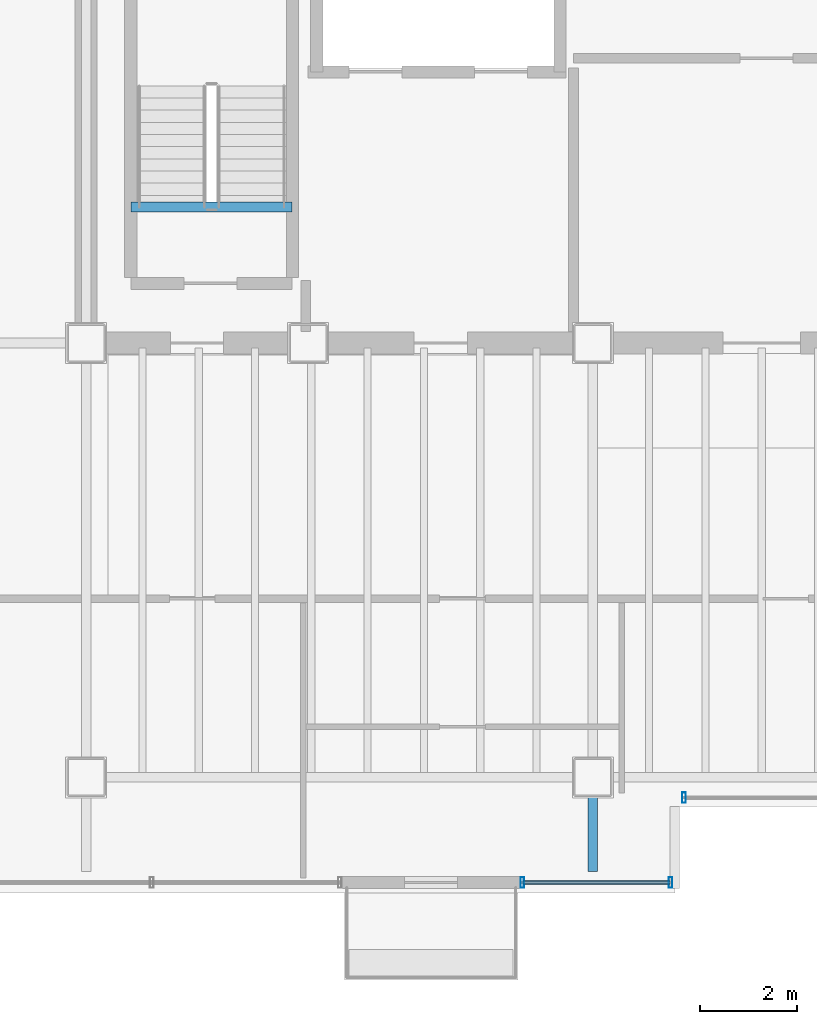
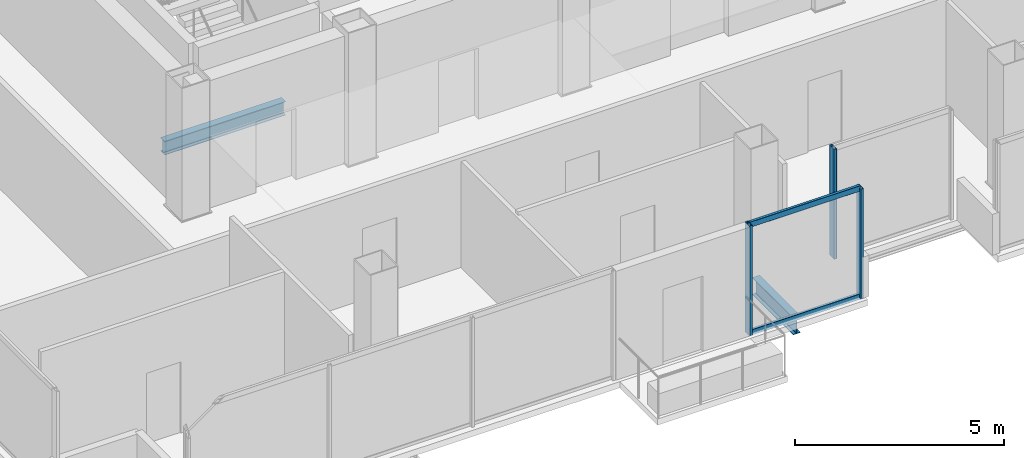
# One storey, part 4 of 16: 5 members, 2 beams, 2 elements without a shape of their own.
"""IFC4 building model written with IfcOpenShell, lengths in metres."""

from ifc_helpers import new_model, si_unit, direction, frame, origin, origin_2d, place, context, subcontext, project, spatial, hollow_rectangle, i_section, extrude, material, material_profile, profile_set, type_object, element, aggregate, save


model = new_model("IFC4")

# Units and contexts
model_context = context("Model", 3, precision=1e-05, world=origin(), true_north=direction((0.0, 1.0)))
body_context = subcontext(model_context, "Body", "Model", "MODEL_VIEW")
ifc_project = project(units=[si_unit("LENGTHUNIT", "METRE"), si_unit("AREAUNIT", "SQUARE_METRE"), si_unit("VOLUMEUNIT", "CUBIC_METRE"), si_unit("PLANEANGLEUNIT", "RADIAN"), si_unit("MASSUNIT", "GRAM", prefix="KILO")], contexts=[model_context])

# Site, building, storey
site_placement = place(None, origin())
site = spatial("IfcSite", under=ifc_project, at=site_placement, CompositionType="ELEMENT")
building_placement = place(site_placement, origin())
building = spatial("IfcBuilding", under=site, at=building_placement, Name="Noeulbin Bourse Tower", CompositionType="ELEMENT")
storey_placement = place(building_placement, frame((0.0, 0.0, 269.60009765625)))
storey = spatial("IfcBuildingStorey", under=building, at=storey_placement, Name="L67", CompositionType="ELEMENT", Elevation=269.60009765625)

# Beams
ifc_material_1 = material(Name="Steel S355", Category="steel")
ifc_material_profile_1 = material_profile(ifc_material_1, i_section(OverallWidth=0.199951171875, OverallDepth=0.5, WebThickness=0.010009765625, FlangeThickness=0.01611328125, FilletRadius=0.02001953125, at=origin_2d()), Name="H-500x200x10x16", Category="LoadBearing")
ifc_profile_set_1 = profile_set([ifc_material_profile_1], Name="Steel S355")
beam_type_1 = type_object("IfcBeamType", Name="BM-GRD-500", PredefinedType="USERDEFINED", material=ifc_profile_set_1)
beam_1_placement = place(storey_placement, frame((24.0, 18.050048828125, -0.43017578125), z_axis=(0.0, 1.0, 0.0), x_axis=(-1.0, 0.0, 0.0)))
element("IfcBeam", 1, at=beam_1_placement, inside=storey, type_object=beam_type_1, Name="Tower Primary Girder NS L67-2.1", ObjectType="GIRDER", PredefinedType="USERDEFINED", context=body_context, shape_type="SweptSolid", body=[
    extrude(i_section(OverallWidth=0.199951171875, OverallDepth=0.5, WebThickness=0.010009765625, FlangeThickness=0.01611328125, FilletRadius=0.02001953125, at=origin_2d()), origin(), (0.0, 0.0, 1.0), 1.949951171875),
])
ifc_material_profile_2 = material_profile(ifc_material_1, i_section(OverallWidth=0.199951171875, OverallDepth=0.39990234375, WebThickness=0.008056640625, FlangeThickness=0.012939453125, FilletRadius=0.01611328125, at=origin_2d()), Name="H-400x200x8x13", Category="LoadBearing")
ifc_profile_set_2 = profile_set([ifc_material_profile_2], Name="Steel S355")
beam_type_2 = type_object("IfcBeamType", Name="BM-SEC-400", PredefinedType="BEAM", material=ifc_profile_set_2)
beam_2_placement = place(storey_placement, frame((14.429931640625, 31.820068359375, -0.2001953125), z_axis=(1.0, 0.0, 0.0), x_axis=(0.0, 1.0, 0.0)))
element("IfcBeam", 2, at=beam_2_placement, inside=storey, type_object=beam_type_2, Name="Stair Threshold Trimmer Beam ST1-L67", PredefinedType="BEAM", context=body_context, shape_type="SweptSolid", body=[
    extrude(i_section(OverallWidth=0.199951171875, OverallDepth=0.39990234375, WebThickness=0.008056640625, FlangeThickness=0.012939453125, FilletRadius=0.01611328125, at=origin_2d()), origin(), (0.0, 0.0, 1.0), 3.340087890625),
])

# Curtain wall, member
ifc_material_2 = material(Name="High-Selectivity Low-Iron Glazing", Category="glass")
curtain_wall_type = type_object("IfcCurtainWallType", Name="CW-SYS-4", PredefinedType="NOTDEFINED", material=ifc_material_2)
curtain_wall_1_placement = place(storey_placement, origin())
curtain_wall_1 = element("IfcCurtainWall", 3, at=curtain_wall_1_placement, inside=storey, type_object=curtain_wall_type, Name="Unitised Curtain Wall CW-L67-SREC", PredefinedType="NOTDEFINED")
ifc_material_3 = material(Name="Anodised Aluminium 6063-T6", Category="aluminium")
ifc_material_profile_3 = material_profile(ifc_material_3, hollow_rectangle(XDim=0.074951171875, YDim=0.219970703125, WallThickness=0.0048828125, InnerFilletRadius=0.00244140625, OuterFilletRadius=0.0048828125, at=origin_2d()), Name="ALU-MULL-75x220x5", Category="LoadBearing")
ifc_profile_set_3 = profile_set([ifc_material_profile_3], Name="Anodised Aluminium 6063-T6")
member_type_1 = type_object("IfcMemberType", Name="CW-SYS-4-MUL", PredefinedType="MULLION", material=ifc_profile_set_3)
member_1_placement = place(storey_placement, frame((25.889892578125, 19.580078125, -0.02001953125), z_axis=(0.0, 0.0, 1.0), x_axis=(1.0, 0.0, 0.0)))
member_1 = element("IfcMember", 4, at=member_1_placement, type_object=member_type_1, Name="Curtain Wall Mullion CW-L67-SREC-M00", PredefinedType="MULLION", context=body_context, shape_type="SweptSolid", body=[
    extrude(hollow_rectangle(XDim=0.074951171875, YDim=0.219970703125, WallThickness=0.0048828125, InnerFilletRadius=0.00244140625, OuterFilletRadius=0.0048828125, at=origin_2d()), origin(), (0.0, 0.0, 1.0), 3.219970703125),
])
aggregate(curtain_wall_1, [member_1])

# Curtain wall, members
curtain_wall_2_placement = place(storey_placement, origin())
curtain_wall_2 = element("IfcCurtainWall", 5, at=curtain_wall_2_placement, inside=storey, type_object=curtain_wall_type, Name="Unitised Curtain Wall CW-L67-S2", PredefinedType="NOTDEFINED")
member_2_placement = place(storey_placement, frame((22.5400390625, 17.820068359375, -0.02001953125), z_axis=(0.0, 0.0, 1.0), x_axis=(1.0, 0.0, 0.0)))
member_2 = element("IfcMember", 6, at=member_2_placement, type_object=member_type_1, Name="Curtain Wall Mullion CW-L67-S2-M00", PredefinedType="MULLION", context=body_context, shape_type="SweptSolid", body=[
    extrude(hollow_rectangle(XDim=0.074951171875, YDim=0.219970703125, WallThickness=0.0048828125, InnerFilletRadius=0.00244140625, OuterFilletRadius=0.0048828125, at=origin_2d()), origin(), (0.0, 0.0, 1.0), 3.219970703125),
])
member_3_placement = place(storey_placement, frame((25.610107421875, 17.820068359375, -0.02001953125), z_axis=(0.0, 0.0, 1.0), x_axis=(1.0, 0.0, 0.0)))
member_3 = element("IfcMember", 7, at=member_3_placement, type_object=member_type_1, Name="Curtain Wall Mullion CW-L67-S2-M01", PredefinedType="MULLION", context=body_context, shape_type="SweptSolid", body=[
    extrude(hollow_rectangle(XDim=0.074951171875, YDim=0.219970703125, WallThickness=0.0048828125, InnerFilletRadius=0.00244140625, OuterFilletRadius=0.0048828125, at=origin_2d()), origin(), (0.0, 0.0, 1.0), 3.219970703125),
])
ifc_material_profile_4 = material_profile(ifc_material_3, hollow_rectangle(XDim=0.074951171875, YDim=0.159912109375, WallThickness=0.0048828125, InnerFilletRadius=0.00244140625, OuterFilletRadius=0.0048828125, at=origin_2d()), Name="ALU-TRAN-75x160x5", Category="LoadBearing")
ifc_profile_set_4 = profile_set([ifc_material_profile_4], Name="Anodised Aluminium 6063-T6")
member_type_2 = type_object("IfcMemberType", Name="CW-SYS-4-TRN", PredefinedType="USERDEFINED", material=ifc_profile_set_4)
member_4_placement = place(storey_placement, frame((22.550048828125, 17.820068359375, 0.010009765625), z_axis=(1.0, 0.0, 0.0), x_axis=(0.0, 1.0, 0.0)))
member_4 = element("IfcMember", 8, at=member_4_placement, type_object=member_type_2, Name="Curtain Wall Transom CW-L67-S2-T00", ObjectType="TRANSOM", PredefinedType="USERDEFINED", context=body_context, shape_type="SweptSolid", body=[
    extrude(hollow_rectangle(XDim=0.074951171875, YDim=0.159912109375, WallThickness=0.0048828125, InnerFilletRadius=0.00244140625, OuterFilletRadius=0.0048828125, at=origin_2d()), origin(), (0.0, 0.0, 1.0), 3.050048828125),
])
member_5_placement = place(storey_placement, frame((22.550048828125, 17.820068359375, 3.169921875), z_axis=(1.0, 0.0, 0.0), x_axis=(0.0, 1.0, 0.0)))
member_5 = element("IfcMember", 9, at=member_5_placement, type_object=member_type_2, Name="Curtain Wall Transom CW-L67-S2-T01", ObjectType="TRANSOM", PredefinedType="USERDEFINED", context=body_context, shape_type="SweptSolid", body=[
    extrude(hollow_rectangle(XDim=0.074951171875, YDim=0.159912109375, WallThickness=0.0048828125, InnerFilletRadius=0.00244140625, OuterFilletRadius=0.0048828125, at=origin_2d()), origin(), (0.0, 0.0, 1.0), 3.050048828125),
])
aggregate(curtain_wall_2, [member_2, member_3, member_4, member_5])

save(model, "model.ifc")
